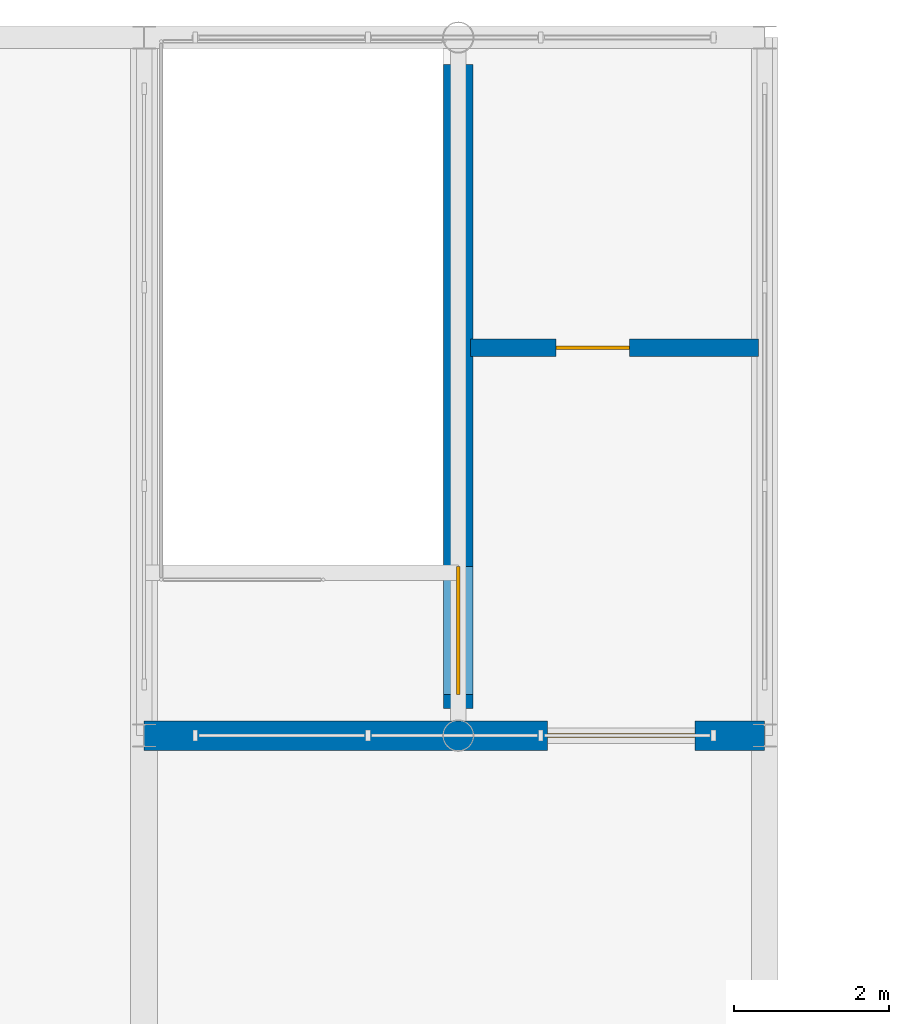
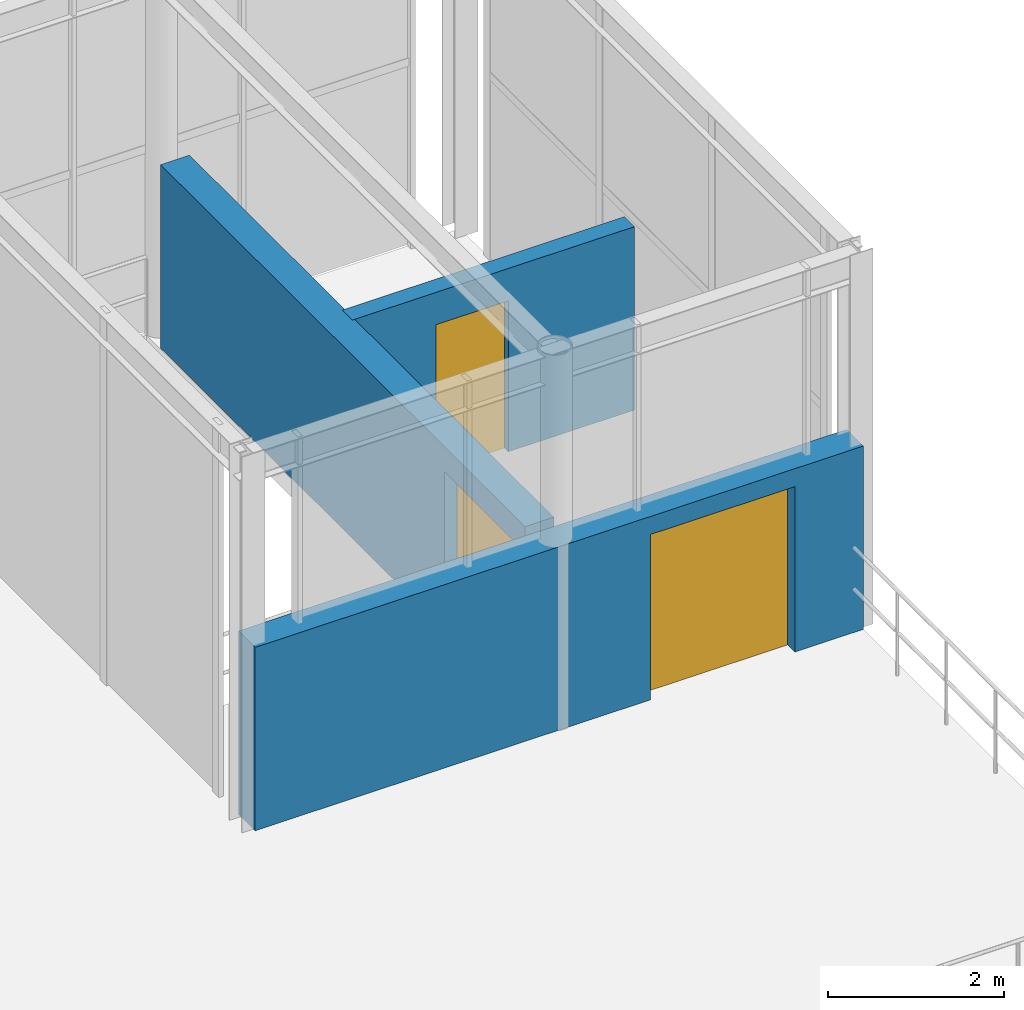
# One storey, part 40 of 50: 3 doors, 3 walls, 3 openings.
"""IFC4 building model written with IfcOpenShell, lengths in metres."""

from ifc_helpers import new_model, si_unit, derived_unit, direction, frame, frame_2d, origin, place, context, subcontext, project, spatial, rectangle, extrude, material, layer, layer_set, type_object, element, fill, save


model = new_model("IFC4")

# Units and contexts
model_context = context("Model", 3, precision=1e-05, world=origin(), true_north=direction((0.0, 1.0)))
body_context = subcontext(model_context, "Body", "Model", "MODEL_VIEW")
ifc_project = project(units=[si_unit("LENGTHUNIT", "METRE"), si_unit("AREAUNIT", "SQUARE_METRE"), si_unit("VOLUMEUNIT", "CUBIC_METRE"), si_unit("PLANEANGLEUNIT", "RADIAN"), si_unit("MASSUNIT", "GRAM", prefix="KILO"), si_unit("THERMODYNAMICTEMPERATUREUNIT", "KELVIN"), derived_unit("THERMALTRANSMITTANCEUNIT", [(si_unit("POWERUNIT", "WATT"), 1), (si_unit("AREAUNIT", "SQUARE_METRE"), -1), (si_unit("THERMODYNAMICTEMPERATUREUNIT", "KELVIN"), -1)])], contexts=[model_context])

# Site, building, storey
site_placement = place(None, origin())
site = spatial("IfcSite", under=ifc_project, at=site_placement, CompositionType="ELEMENT")
building_placement = place(site_placement, origin())
building = spatial("IfcBuilding", under=site, at=building_placement, Name="Haiyu Intermodal Mobility Hub", CompositionType="ELEMENT")
storey_placement = place(building_placement, frame((0.0, 0.0, 25.10009765625)))
storey = spatial("IfcBuildingStorey", under=building, at=storey_placement, Name="L06", CompositionType="ELEMENT", Elevation=25.10009765625)

# Wall, opening, door
ifc_material_1 = material(Name="Autoclaved aerated concrete block A5.0", Category="concrete")
ifc_layer_1 = layer(ifc_material_1, 0.22998046875)
ifc_layer_set_1 = layer_set([ifc_layer_1], Name="Autoclaved aerated concrete block A5.0")
wall_type_1 = type_object("IfcWallType", Name="WAL-WI01", PredefinedType="PARTITIONING", material=ifc_layer_set_1)
wall_1_placement = place(storey_placement, frame((158.2099609375, 144.0, 0.0), z_axis=(0.0, 0.0, 1.0), x_axis=(1.0, 0.0, 0.0)))
wall_1 = element("IfcWall", 1, at=wall_1_placement, inside=storey, type_object=wall_type_1, Name="WAL-CORE-C4-LFT-L06", PredefinedType="PARTITIONING", context=body_context, shape_type="SweptSolid", body=[
    extrude(rectangle(XDim=3.7099609375, YDim=0.22998046875, at=frame_2d((1.85498046875, 0.0))), origin(), (0.0, 0.0, 1.0), 2.5498046875),
])
opening_1_placement = place(wall_1_placement, frame((1.10009765625, 0.0, 0.0)))
opening_1 = element("IfcOpeningElement", 2, at=opening_1_placement, cuts=wall_1, Name="Opening DI07", PredefinedType="OPENING", context=body_context, shape_type="SweptSolid", body=[
    extrude(rectangle(XDim=0.949951171875, YDim=2.10009765625, at=frame_2d((0.47509765625, 1.050048828125))), frame((0.0, 0.125, 0.0), z_axis=(0.0, -1.0, 0.0), x_axis=(1.0, 0.0, 0.0)), (0.0, 0.0, 1.0), 0.25),
])
ifc_material_2 = material(Name="Steel Q355C", Category="steel")
door_type_1 = type_object("IfcDoorType", Name="DR-DI07", OperationType="NOTDEFINED", PredefinedType="DOOR", material=ifc_material_2)
door_1_placement = place(opening_1_placement, origin())
door_1 = element("IfcDoor", 3, at=door_1_placement, inside=storey, type_object=door_type_1, Name="Core C4 Accessible WC Door L06", OperationType="SINGLE_SWING_RIGHT", OverallHeight=2.10009765625, OverallWidth=0.949951171875, PredefinedType="DOOR", context=body_context, shape_type="SweptSolid", body=[
    extrude(rectangle(XDim=0.949951171875, YDim=2.10009765625, at=frame_2d((0.47509765625, 1.050048828125))), frame((0.0, 0.02490234375, 0.0), z_axis=(0.0, -1.0, 0.0), x_axis=(1.0, 0.0, 0.0)), (0.0, 0.0, 1.0), 0.050048828125),
])
fill(opening_1, door_1)

ifc_material_3 = material(Name="Concrete C40", Category="concrete")
ifc_layer_2 = layer(ifc_material_3, 0.3798828125)
ifc_layer_set_2 = layer_set([ifc_layer_2], Name="Concrete C40")
wall_type_2 = type_object("IfcWallType", Name="WAL-WS03", PredefinedType="SHEAR", material=ifc_layer_set_2)
wall_2_placement = place(storey_placement, frame((154.0, 139.0, 0.0), z_axis=(0.0, 0.0, 1.0), x_axis=(1.0, 0.0, 0.0)))
wall_2 = element("IfcWall", 4, at=wall_2_placement, inside=storey, type_object=wall_type_2, Name="WAL-CORE-C4-S-L06", PredefinedType="SHEAR", context=body_context, shape_type="SweptSolid", body=[
    extrude(rectangle(XDim=8.0, YDim=0.3798828125, at=frame_2d((4.0, 0.0))), origin(), (0.0, 0.0, 1.0), 2.5498046875),
])
opening_2_placement = place(wall_2_placement, frame((5.199951171875, 0.0, 0.0)))
opening_2 = element("IfcOpeningElement", 5, at=opening_2_placement, cuts=wall_2, Name="Opening DI01", PredefinedType="OPENING", context=body_context, shape_type="SweptSolid", body=[
    extrude(rectangle(XDim=1.89990234375, YDim=2.300048828125, at=frame_2d((0.949951171875, 1.14990234375))), frame((0.0, 0.199951171875, 0.0), z_axis=(0.0, -1.0, 0.0), x_axis=(1.0, 0.0, 0.0)), (0.0, 0.0, 1.0), 0.39990234375),
])
door_type_2 = type_object("IfcDoorType", Name="DR-DI01", OperationType="DOUBLE_DOOR_SINGLE_SWING", PredefinedType="DOOR", material=ifc_material_2)
door_2_placement = place(opening_2_placement, origin())
door_2 = element("IfcDoor", 6, at=door_2_placement, inside=storey, type_object=door_type_2, Name="Core C4 Lobby Fire Door L06", OperationType="SINGLE_SWING_RIGHT", OverallHeight=2.300048828125, OverallWidth=1.89990234375, PredefinedType="DOOR", context=body_context, shape_type="SweptSolid", body=[
    extrude(rectangle(XDim=1.89990234375, YDim=2.300048828125, at=frame_2d((0.949951171875, 1.14990234375))), frame((0.0, 0.02490234375, 0.0), z_axis=(0.0, -1.0, 0.0), x_axis=(1.0, 0.0, 0.0)), (0.0, 0.0, 1.0), 0.050048828125),
])
fill(opening_2, door_2)

wall_3_placement = place(storey_placement, frame((158.050048828125, 139.35009765625, 0.0), z_axis=(0.0, 0.0, 1.0), x_axis=(0.0, 1.0, 0.0)))
wall_3 = element("IfcWall", 7, at=wall_3_placement, inside=storey, type_object=wall_type_2, Name="WAL-CORE-C4-MID-L06", PredefinedType="SHEAR", context=body_context, shape_type="SweptSolid", body=[
    extrude(rectangle(XDim=8.2998046875, YDim=0.3798828125, at=frame_2d((4.14990234375, 0.0))), origin(), (0.0, 0.0, 1.0), 2.5498046875),
])
opening_3_placement = place(wall_3_placement, frame((0.179931640625, 0.0, 0.0)))
opening_3 = element("IfcOpeningElement", 8, at=opening_3_placement, cuts=wall_3, Name="Opening DI02", PredefinedType="OPENING", context=body_context, shape_type="SweptSolid", body=[
    extrude(rectangle(XDim=1.64990234375, YDim=2.199951171875, at=frame_2d((0.824951171875, 1.10009765625))), frame((0.0, 0.199951171875, 0.0), z_axis=(0.0, -1.0, 0.0), x_axis=(1.0, 0.0, 0.0)), (0.0, 0.0, 1.0), 0.39990234375),
])
door_type_3 = type_object("IfcDoorType", Name="DR-DI02", OperationType="DOUBLE_DOOR_SINGLE_SWING", PredefinedType="DOOR", material=ifc_material_2)
door_3_placement = place(opening_3_placement, origin())
door_3 = element("IfcDoor", 9, at=door_3_placement, inside=storey, type_object=door_type_3, Name="Stair ST02 Fire Door L06", OperationType="SINGLE_SWING_RIGHT", OverallHeight=2.199951171875, OverallWidth=1.64990234375, PredefinedType="DOOR", context=body_context, shape_type="SweptSolid", body=[
    extrude(rectangle(XDim=1.64990234375, YDim=2.199951171875, at=frame_2d((0.824951171875, 1.10009765625))), frame((0.0, 0.02490234375, 0.0), z_axis=(0.0, -1.0, 0.0), x_axis=(1.0, 0.0, 0.0)), (0.0, 0.0, 1.0), 0.050048828125),
])
fill(opening_3, door_3)

save(model, "model.ifc")
